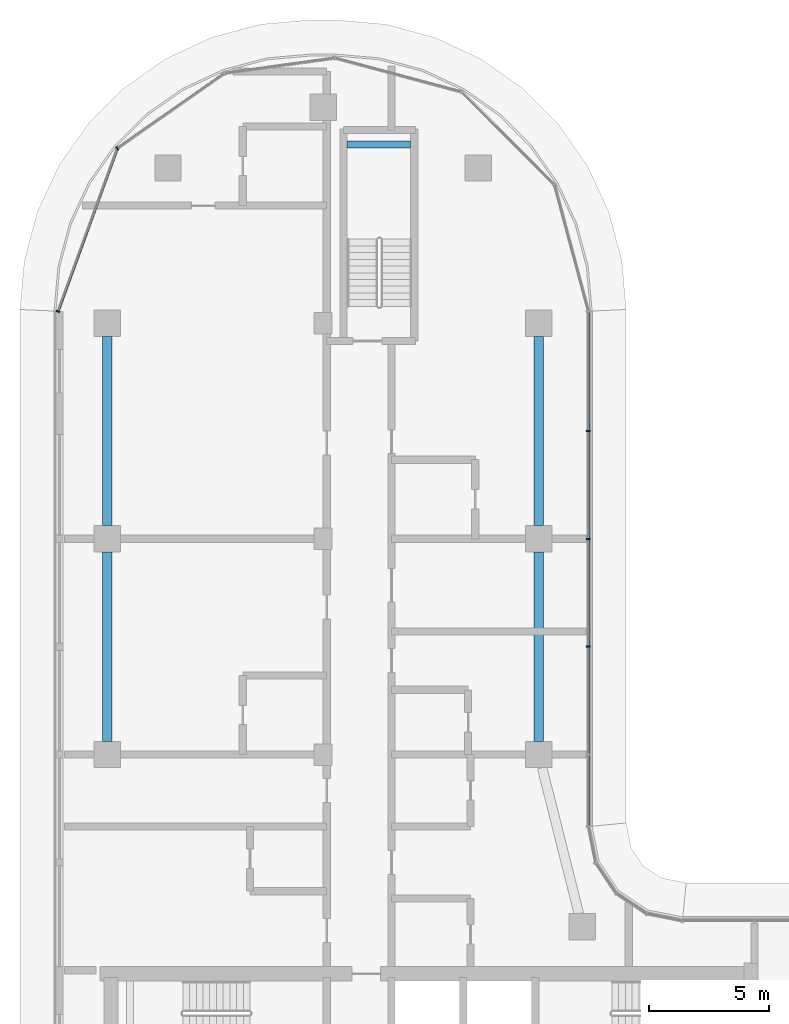
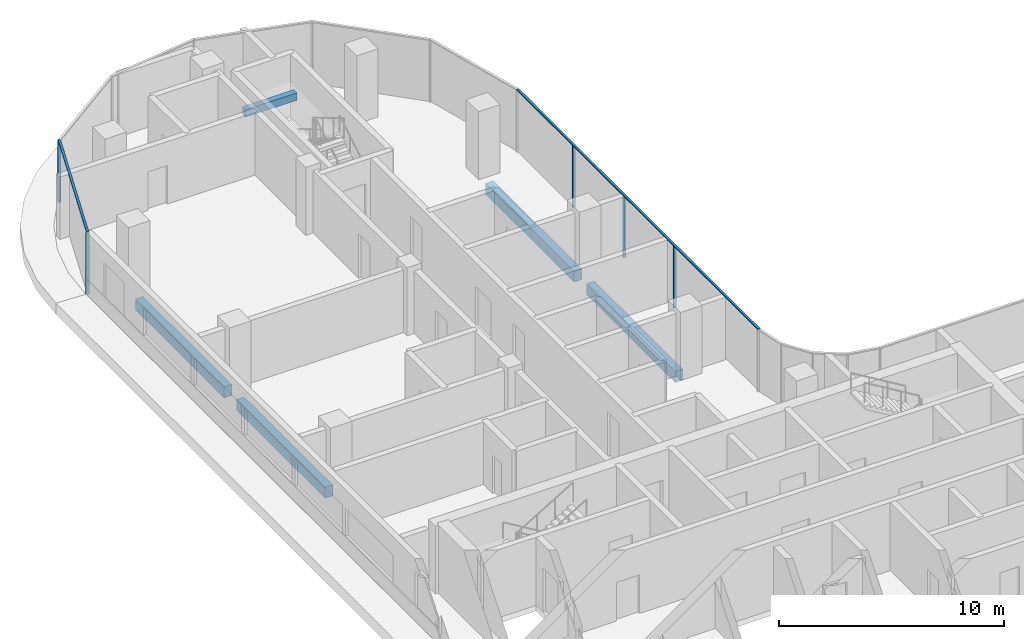
# One storey, part 6 of 26: 7 members, 5 beams, 2 elements without a shape of their own.
"""IFC4 building model written with IfcOpenShell, lengths in metres."""

from ifc_helpers import new_model, si_unit, direction, frame, origin, origin_2d, place, context, subcontext, project, spatial, rectangle, extrude, material, material_profile, profile_set, type_object, element, aggregate, save


model = new_model("IFC4")

# Units and contexts
model_context = context("Model", 3, precision=1e-05, world=origin(), true_north=direction((0.0, 1.0)))
body_context = subcontext(model_context, "Body", "Model", "MODEL_VIEW")
ifc_project = project(units=[si_unit("LENGTHUNIT", "METRE"), si_unit("AREAUNIT", "SQUARE_METRE"), si_unit("VOLUMEUNIT", "CUBIC_METRE"), si_unit("PLANEANGLEUNIT", "RADIAN"), si_unit("MASSUNIT", "GRAM", prefix="KILO")], contexts=[model_context])

# Site, building, storey
site_placement = place(None, origin())
site = spatial("IfcSite", under=ifc_project, at=site_placement, CompositionType="ELEMENT")
building_placement = place(site_placement, origin())
building = spatial("IfcBuilding", under=site, at=building_placement, Name="Ogive Portal Towers", CompositionType="ELEMENT")
storey_placement = place(building_placement, frame((0.0, 0.0, 171.800048828125)))
storey = spatial("IfcBuildingStorey", under=building, at=storey_placement, Name="L42", CompositionType="ELEMENT", Elevation=171.800048828125)

# Beam
ifc_material_1 = material(Name="Concrete C40/50", Category="concrete")
ifc_material_profile_1 = material_profile(ifc_material_1, rectangle(XDim=0.300048828125, YDim=0.39990234375, at=origin_2d()), Name="RC 300x400")
ifc_profile_set_1 = profile_set([ifc_material_profile_1], Name="Concrete C40/50")
beam_type_1 = type_object("IfcBeamType", Name="BEAM RC 300x400", PredefinedType="BEAM", material=ifc_profile_set_1)
beam_placement = place(storey_placement, frame((41.5, 73.949951171875, 1.449951171875), z_axis=(1.0, 0.0, 0.0), x_axis=(0.0, 1.0, 0.0)))
element("IfcBeam", 1, at=beam_placement, inside=storey, type_object=beam_type_1, Name="Landing beam L42", PredefinedType="BEAM", context=body_context, shape_type="SweptSolid", body=[
    extrude(rectangle(XDim=0.300048828125, YDim=0.39990234375, at=origin_2d()), origin(), (0.0, 0.0, 1.0), 2.64990234375),
])

# Curtain wall, members
ifc_material_2 = material(Name="Glass, clear low-iron insulated glazing", Category="glass")
curtain_wall_type = type_object("IfcCurtainWallType", Name="CW FRONT RIBBON 4500", PredefinedType="NOTDEFINED", material=ifc_material_2)
curtain_wall_1_placement = place(storey_placement, origin())
curtain_wall_1 = element("IfcCurtainWall", 2, at=curtain_wall_1_placement, inside=storey, type_object=curtain_wall_type, Name="A:L42:f15:cw0", PredefinedType="NOTDEFINED")
ifc_material_3 = material(Name="Aluminium 6063 anodised", Category="aluminium")
ifc_material_profile_2 = material_profile(ifc_material_3, rectangle(XDim=0.159912109375, YDim=0.06005859375, at=origin_2d()), Name="AL 60x160")
ifc_profile_set_2 = profile_set([ifc_material_profile_2], Name="Aluminium 6063 anodised")
member_type_1 = type_object("IfcMemberType", Name="CW MULLION 60x160", PredefinedType="MULLION", material=ifc_profile_set_2)
member_1_placement = place(storey_placement, frame((51.56494140625, 53.0, 0.0), z_axis=(0.0, 0.0, 1.0), x_axis=(-1.0, 0.0, 0.0)))
member_1 = element("IfcMember", 3, at=member_1_placement, type_object=member_type_1, Name="mullion", PredefinedType="MULLION", context=body_context, shape_type="SweptSolid", body=[
    extrude(rectangle(XDim=0.159912109375, YDim=0.06005859375, at=origin_2d()), origin(), (0.0, 0.0, 1.0), 3.33984375),
])
member_2_placement = place(storey_placement, frame((51.56494140625, 57.5, 0.0), z_axis=(0.0, 0.0, 1.0), x_axis=(-1.0, 0.0, 0.0)))
member_2 = element("IfcMember", 4, at=member_2_placement, type_object=member_type_1, Name="mullion", PredefinedType="MULLION", context=body_context, shape_type="SweptSolid", body=[
    extrude(rectangle(XDim=0.159912109375, YDim=0.06005859375, at=origin_2d()), origin(), (0.0, 0.0, 1.0), 3.33984375),
])
member_3_placement = place(storey_placement, frame((51.56494140625, 62.0, 0.0), z_axis=(0.0, 0.0, 1.0), x_axis=(-1.0, 0.0, 0.0)))
member_3 = element("IfcMember", 5, at=member_3_placement, type_object=member_type_1, Name="mullion", PredefinedType="MULLION", context=body_context, shape_type="SweptSolid", body=[
    extrude(rectangle(XDim=0.159912109375, YDim=0.06005859375, at=origin_2d()), origin(), (0.0, 0.0, 1.0), 3.33984375),
])

curtain_wall_2_placement = place(storey_placement, origin())
curtain_wall_2 = element("IfcCurtainWall", 6, at=curtain_wall_2_placement, inside=storey, type_object=curtain_wall_type, Name="A:L42:f16:cwa", PredefinedType="NOTDEFINED")
member_4_placement = place(storey_placement, frame((31.912109375, 73.79150390625, 0.0), z_axis=(0.0, 0.0, 1.0), x_axis=(0.573576436351, -0.819152044289, 0.0)))
member_4 = element("IfcMember", 7, at=member_4_placement, type_object=member_type_1, Name="mullion", PredefinedType="MULLION", context=body_context, shape_type="SweptSolid", body=[
    extrude(rectangle(XDim=0.159912109375, YDim=0.06005859375, at=origin_2d()), origin(), (0.0, 0.0, 1.0), 3.33984375),
])
member_5_placement = place(storey_placement, frame((29.43505859375, 66.98583984375, 0.0), z_axis=(0.0, 0.0, 1.0), x_axis=(0.939692620786, -0.342020143326, 0.0)))
member_5 = element("IfcMember", 8, at=member_5_placement, type_object=member_type_1, Name="mullion", PredefinedType="MULLION", context=body_context, shape_type="SweptSolid", body=[
    extrude(rectangle(XDim=0.159912109375, YDim=0.06005859375, at=origin_2d()), origin(), (0.0, 0.0, 1.0), 3.33984375),
])

# Member
ifc_material_profile_3 = material_profile(ifc_material_3, rectangle(XDim=0.1201171875, YDim=0.06005859375, at=origin_2d()), Name="AL 120x60")
ifc_profile_set_3 = profile_set([ifc_material_profile_3], Name="Aluminium 6063 anodised")
member_type_2 = type_object("IfcMemberType", Name="CW TRANSOM 60x120", PredefinedType="USERDEFINED", material=ifc_profile_set_3)
member_6_placement = place(storey_placement, frame((51.56494140625, 45.4921875, 3.369873046875), z_axis=(0.0, 1.0, 0.0), x_axis=(-1.0, 0.0, 0.0)))
member_6 = element("IfcMember", 9, at=member_6_placement, type_object=member_type_2, Name="transom", ObjectType="TRANSOM", PredefinedType="USERDEFINED", context=body_context, shape_type="SweptSolid", body=[
    extrude(rectangle(XDim=0.1201171875, YDim=0.06005859375, at=origin_2d()), origin(), (0.0, 0.0, 1.0), 21.497314453125),
])

aggregate(curtain_wall_1, [member_6, member_1, member_2, member_3])

member_7_placement = place(storey_placement, frame((31.912109375, 73.79150390625, 3.369873046875), z_axis=(-0.342019123812, -0.939692991858, 0.0), x_axis=(0.939692991858, -0.342019123812, 0.0)))
member_7 = element("IfcMember", 10, at=member_7_placement, type_object=member_type_2, Name="transom", ObjectType="TRANSOM", PredefinedType="USERDEFINED", context=body_context, shape_type="SweptSolid", body=[
    extrude(rectangle(XDim=0.1201171875, YDim=0.06005859375, at=origin_2d()), origin(), (0.0, 0.0, 1.0), 7.242431640625),
])

aggregate(curtain_wall_2, [member_7, member_4, member_5])

# Beams
ifc_material_profile_4 = material_profile(ifc_material_1, rectangle(XDim=0.39990234375, YDim=0.60009765625, at=origin_2d()), Name="RC 400x600")
ifc_profile_set_4 = profile_set([ifc_material_profile_4], Name="Concrete C40/50")
beam_type_2 = type_object("IfcBeamType", Name="SPANDREL BEAM RC 400x600", PredefinedType="BEAM", material=ifc_profile_set_4)
for number, where, z_axis, x_axis, name in (
    (11, (31.5, 49.050048828125, -0.60009765625), (0.0, 1.0, 0.0), (-1.0, 0.0, 0.0), "Spandrel beam L42"),
    (12, (31.5, 58.050048828125, -0.60009765625), (0.0, 1.0, 0.0), (-1.0, 0.0, 0.0), "Spandrel beam L42"),
    (13, (49.5, 65.949951171875, -0.60009765625), (0.0, -1.0, 0.0), (1.0, 0.0, 0.0), "Spandrel beam L42"),
    (14, (49.5, 56.949951171875, -0.60009765625), (0.0, -1.0, 0.0), (1.0, 0.0, 0.0), "Spandrel beam L42"),
):
    element("IfcBeam", number, at=place(storey_placement, frame(where, z_axis=z_axis, x_axis=x_axis)), inside=storey, type_object=beam_type_2, Name=name, PredefinedType="BEAM", context=body_context, shape_type="SweptSolid", body=[
        extrude(rectangle(XDim=0.39990234375, YDim=0.60009765625, at=origin_2d()), origin(), (0.0, 0.0, 1.0), 7.89990234375),
    ])

save(model, "model.ifc")
